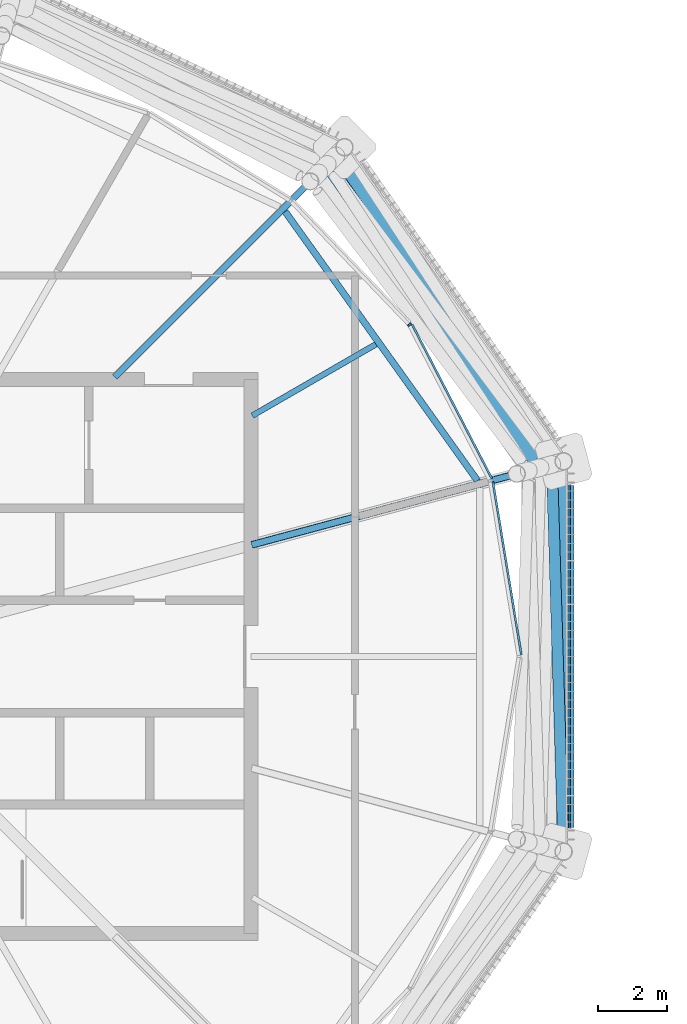
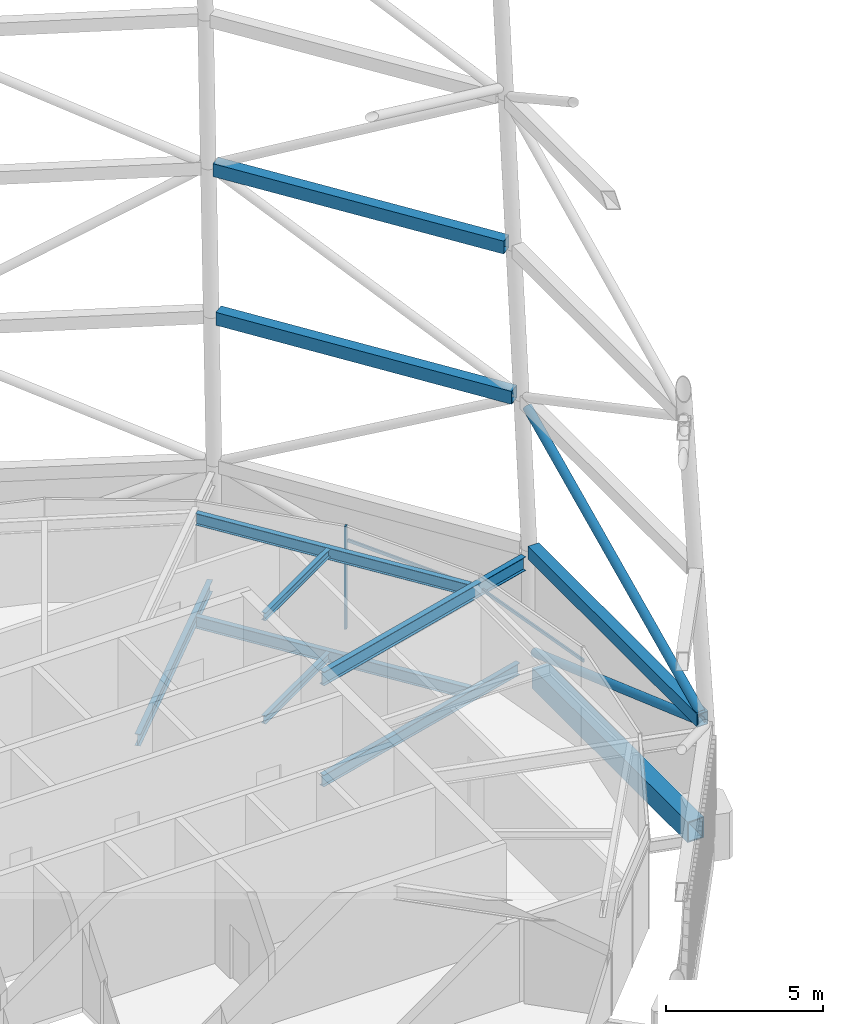
# One storey, part 24 of 71: 11 beams, 5 members, 1 element without a shape of its own.
"""IFC4 building model written with IfcOpenShell, lengths in metres."""

from ifc_helpers import new_model, si_unit, direction, frame, origin, origin_2d, place, context, subcontext, project, spatial, rectangle, hollow_rectangle, hollow_circle, i_section, extrude, material, material_profile, profile_set, type_object, element, aggregate, save


model = new_model("IFC4")

# Units and contexts
model_context = context("Model", 3, precision=1e-05, world=origin(), true_north=direction((0.0, 1.0)))
body_context = subcontext(model_context, "Body", "Model", "MODEL_VIEW")
ifc_project = project(units=[si_unit("LENGTHUNIT", "METRE"), si_unit("AREAUNIT", "SQUARE_METRE"), si_unit("VOLUMEUNIT", "CUBIC_METRE"), si_unit("PLANEANGLEUNIT", "RADIAN"), si_unit("MASSUNIT", "GRAM", prefix="KILO")], contexts=[model_context])

# Site, building, storey
site_placement = place(None, origin())
site = spatial("IfcSite", under=ifc_project, at=site_placement, CompositionType="ELEMENT")
building_placement = place(site_placement, origin())
building = spatial("IfcBuilding", under=site, at=building_placement, Name="Rimbun Link Towers", CompositionType="ELEMENT")
storey_placement = place(building_placement, frame((0.0, 0.0, 267.60009765625)))
storey = spatial("IfcBuildingStorey", under=building, at=storey_placement, Name="L65", CompositionType="ELEMENT", Elevation=267.60009765625)

# Curtain wall, members
ifc_material_1 = material(Name="Aluminium 6063-T6 louvre wall", Category="aluminium")
curtain_wall_type = type_object("IfcCurtainWallType", Name="CW6 plant floor louvre wall", PredefinedType="NOTDEFINED", material=ifc_material_1)
curtain_wall_placement = place(storey_placement, origin())
curtain_wall = element("IfcCurtainWall", 1, at=curtain_wall_placement, inside=storey, type_object=curtain_wall_type, Name="CW6 L65 T1", PredefinedType="NOTDEFINED")
ifc_material_2 = material(Name="Aluminium 6063-T6", Category="aluminium")
ifc_material_profile_1 = material_profile(ifc_material_2, rectangle(XDim=0.1201171875, YDim=0.06005859375, at=origin_2d()), Name="MULLION 60X120")
ifc_profile_set_1 = profile_set([ifc_material_profile_1], Name="Aluminium 6063-T6")
member_type_1 = type_object("IfcMemberType", Name="CW6 mullion 60X120", PredefinedType="MULLION", material=ifc_profile_set_1)
member_1_placement = place(storey_placement, frame((-15.171630859375, 9.578369140625, 0.0), z_axis=(0.0, 0.0, 1.0), x_axis=(0.813347238366, 0.581778540204, 0.0)))
member_1 = element("IfcMember", 2, at=member_1_placement, type_object=member_type_1, Name="CW6 mullion", PredefinedType="MULLION", context=body_context, shape_type="SweptSolid", body=[
    extrude(rectangle(XDim=0.1201171875, YDim=0.06005859375, at=origin_2d()), origin(), (0.0, 0.0, 1.0), 4.0),
])
ifc_material_3 = material(Name="Aluminium 6063-T6", Category="aluminium")
ifc_material_profile_2 = material_profile(ifc_material_3, rectangle(XDim=0.06005859375, YDim=0.1201171875, at=origin_2d()), Name="TRANSOM 60X120")
ifc_profile_set_2 = profile_set([ifc_material_profile_2], Name="Aluminium 6063-T6")
member_type_2 = type_object("IfcMemberType", Name="CW6 transom 60X120", PredefinedType="USERDEFINED", material=ifc_profile_set_2)
member_2_placement = place(storey_placement, frame((-12.76318359375, 5.043212890625, 3.39990234375), z_axis=(0.16227804182, -0.986745072014, 0.0), x_axis=(0.986745072014, 0.16227804182, 0.0)))
member_2 = element("IfcMember", 3, at=member_2_placement, type_object=member_type_2, Name="CW6 transom", ObjectType="TRANSOM", PredefinedType="USERDEFINED", context=body_context, shape_type="SweptSolid", body=[
    extrude(rectangle(XDim=0.06005859375, YDim=0.1201171875, at=origin_2d()), origin(), (0.0, 0.0, 1.0), 5.0595703125),
])
member_3_placement = place(storey_placement, frame((-15.091064453125, 9.576416015625, 3.39990234375), z_axis=(0.459541205413, -0.888156450479, 0.0), x_axis=(0.888156450479, 0.459541205413, 0.0)))
member_3 = element("IfcMember", 4, at=member_3_placement, type_object=member_type_2, Name="CW6 transom", ObjectType="TRANSOM", PredefinedType="USERDEFINED", context=body_context, shape_type="SweptSolid", body=[
    extrude(rectangle(XDim=0.06005859375, YDim=0.1201171875, at=origin_2d()), origin(), (0.0, 0.0, 1.0), 4.9970703125),
])
aggregate(curtain_wall, [member_1, member_2, member_3])

# Members
ifc_material_4 = material(Name="Steel S355J2H", Category="steel")
ifc_material_profile_3 = material_profile(ifc_material_4, hollow_circle(Radius=0.161865234375, WallThickness=0.011962890625, at=origin_2d()), Name="Crown frame brace CHS 324x12")
ifc_profile_set_3 = profile_set([ifc_material_profile_3], Name="Steel S355J2H")
member_type_3 = type_object("IfcMemberType", Name="Crown frame brace CHS 324x12", PredefinedType="BRACE", material=ifc_profile_set_3)
member_4_placement = place(storey_placement, frame((-10.722900390625, 5.257080078125, 0.1337890625), z_axis=(0.0, -0.9423827994, 0.334536484401), x_axis=(1.0, 0.0, 0.0)))
element("IfcMember", 5, at=member_4_placement, inside=storey, type_object=member_type_3, Name="CROWN FRAME brace T1 1-11", PredefinedType="BRACE", context=body_context, shape_type="SweptSolid", body=[
    extrude(hollow_circle(Radius=0.161865234375, WallThickness=0.011962890625, at=origin_2d()), origin(), (0.0, 0.0, 1.0), 11.156982421875),
])
member_5_placement = place(storey_placement, frame((-10.733642578125, -5.281982421875, 4.18896484375), z_axis=(-0.026629304714, 0.880779138727, 0.472777948844), x_axis=(-0.99954327161, -0.030219996347, 0.0)))
element("IfcMember", 6, at=member_5_placement, inside=storey, type_object=member_type_3, Name="CROWN FRAME brace T1 2-11", PredefinedType="BRACE", context=body_context, shape_type="SweptSolid", body=[
    extrude(hollow_circle(Radius=0.161865234375, WallThickness=0.011962890625, at=origin_2d()), origin(), (0.0, 0.0, 1.0), 11.89111328125),
])

# Beams
ifc_material_5 = material(Name="Steel S355J2", Category="steel")
ifc_material_profile_4 = material_profile(ifc_material_5, hollow_rectangle(XDim=0.39990234375, YDim=0.5, WallThickness=0.02001953125, at=origin_2d()), Name="Crown frame ring beam BOX 400x500x20")
ifc_profile_set_4 = profile_set([ifc_material_profile_4], Name="Steel S355J2")
beam_type_1 = type_object("IfcBeamType", Name="Crown frame ring beam BOX 400x500x20", PredefinedType="BEAM", material=ifc_profile_set_4)
beam_1_placement = place(storey_placement, frame((-10.722900390625, -5.380126953125, 4.0), z_axis=(0.0, 1.0, 0.0), x_axis=(-1.0, 0.0, 0.0)))
element("IfcBeam", 7, at=beam_1_placement, inside=storey, type_object=beam_type_1, Name="CROWN FRAME ring beam T1 1-11", PredefinedType="BEAM", context=body_context, shape_type="SweptSolid", body=[
    extrude(hollow_rectangle(XDim=0.39990234375, YDim=0.5, WallThickness=0.02001953125, at=origin_2d()), origin(), (0.0, 0.0, 1.0), 10.76025390625),
])
beam_2_placement = place(storey_placement, frame((-11.206787109375, 5.751708984375, 10.0), z_axis=(-0.573356446444, 0.819306038865, 0.0), x_axis=(-0.819306038865, -0.573356446444, 0.0)))
element("IfcBeam", 8, at=beam_2_placement, inside=storey, type_object=beam_type_1, Name="CROWN FRAME ring beam T1 2-00", PredefinedType="BEAM", context=body_context, shape_type="SweptSolid", body=[
    extrude(hollow_rectangle(XDim=0.39990234375, YDim=0.5, WallThickness=0.02001953125, at=origin_2d()), origin(), (0.0, 0.0, 1.0), 10.3671875),
])
beam_3_placement = place(storey_placement, frame((-11.544921875, 5.660888671875, 16.0), z_axis=(-0.574571673852, 0.81845426971, 0.0), x_axis=(-0.81845426971, -0.574571673852, 0.0)))
element("IfcBeam", 9, at=beam_3_placement, inside=storey, type_object=beam_type_1, Name="CROWN FRAME ring beam T1 3-00", PredefinedType="BEAM", context=body_context, shape_type="SweptSolid", body=[
    extrude(hollow_rectangle(XDim=0.39990234375, YDim=0.5, WallThickness=0.02001953125, at=origin_2d()), origin(), (0.0, 0.0, 1.0), 10.186767578125),
])
ifc_material_6 = material(Name="Steel S355J2", Category="steel")
ifc_material_profile_5 = material_profile(ifc_material_6, hollow_rectangle(XDim=0.60009765625, YDim=0.800048828125, WallThickness=0.0400390625, at=origin_2d()), Name="Exoskeleton ring girder BOX 600x800x40")
ifc_profile_set_5 = profile_set([ifc_material_profile_5], Name="Steel S355J2")
beam_type_2 = type_object("IfcBeamType", Name="Exoskeleton ring girder BOX 600x800x40", PredefinedType="BEAM", material=ifc_profile_set_5)
beam_4_placement = place(storey_placement, frame((-10.722900390625, -4.93408203125, -0.56005859375), z_axis=(0.0, 1.0, 0.0), x_axis=(-1.0, 0.0, 0.0)))
element("IfcBeam", 10, at=beam_4_placement, inside=storey, type_object=beam_type_2, Name="Exoskeleton ring girder L65 11", PredefinedType="BEAM", context=body_context, shape_type="SweptSolid", body=[
    extrude(hollow_rectangle(XDim=0.60009765625, YDim=0.800048828125, WallThickness=0.0400390625, at=origin_2d()), origin(), (0.0, 0.0, 1.0), 9.8681640625),
])
ifc_material_7 = material(Name="Steel S355J2", Category="steel")
ifc_material_profile_6 = material_profile(ifc_material_7, i_section(OverallWidth=0.1650390625, OverallDepth=0.303466796875, WebThickness=0.006103515625, FlangeThickness=0.01025390625, at=origin_2d()), Name="UB 305x165x40")
ifc_profile_set_6 = profile_set([ifc_material_profile_6], Name="Steel S355J2")
beam_type_3 = type_object("IfcBeamType", Name="UB 305x165x40", PredefinedType="BEAM", material=ifc_profile_set_6)
for number, where, z_axis, x_axis, name in (
    (11, (-19.7080078125, 6.952392578125, -0.351806640625), (0.866009926209, 0.50002680699, 0.0), (-0.50002680699, 0.866009926209, 0.0), "Radial beam T1 L65 02"),
    (12, (-19.7080078125, 6.952392578125, 3.648193359375), (0.866009926209, 0.50002680699, 0.0), (-0.50002680699, 0.866009926209, 0.0), "Radial beam T1 L65 02"),
):
    element("IfcBeam", number, at=place(storey_placement, frame(where, z_axis=z_axis, x_axis=x_axis)), inside=storey, type_object=beam_type_3, Name=name, PredefinedType="BEAM", context=body_context, shape_type="SweptSolid", body=[
        extrude(i_section(OverallWidth=0.1650390625, OverallDepth=0.303466796875, WebThickness=0.006103515625, FlangeThickness=0.01025390625, at=origin_2d()), origin(), (0.0, 0.0, 1.0), 4.119873046875),
    ])
ifc_material_8 = material(Name="Steel S355J2", Category="steel")
ifc_material_profile_7 = material_profile(ifc_material_8, i_section(OverallWidth=0.18994140625, OverallDepth=0.453369140625, WebThickness=0.008544921875, FlangeThickness=0.0126953125, at=origin_2d()), Name="UB 457x191x67")
ifc_profile_set_7 = profile_set([ifc_material_profile_7], Name="Steel S355J2")
beam_type_4 = type_object("IfcBeamType", Name="UB 457x191x67", PredefinedType="BEAM", material=ifc_profile_set_7)
beam_5_placement = place(storey_placement, frame((-19.724609375, 3.222412109375, -0.4267578125), z_axis=(0.965927786398, 0.258811729767, 0.0), x_axis=(-0.258811729767, 0.965927786398, 0.0)))
element("IfcBeam", 13, at=beam_5_placement, inside=storey, type_object=beam_type_4, Name="Radial beam T1 L65 01", PredefinedType="BEAM", context=body_context, shape_type="SweptSolid", body=[
    extrude(i_section(OverallWidth=0.18994140625, OverallDepth=0.453369140625, WebThickness=0.008544921875, FlangeThickness=0.0126953125, at=origin_2d()), origin(), (0.0, 0.0, 1.0), 8.819091796875),
])
beam_6_placement = place(storey_placement, frame((-23.68212890625, 8.06787109375, -0.4267578125), z_axis=(0.707106781187, 0.707106781187, 0.0), x_axis=(-0.707106781187, 0.707106781187, 0.0)))
element("IfcBeam", 14, at=beam_6_placement, inside=storey, type_object=beam_type_4, Name="Radial beam T1 L65 03", PredefinedType="BEAM", context=body_context, shape_type="SweptSolid", body=[
    extrude(i_section(OverallWidth=0.18994140625, OverallDepth=0.453369140625, WebThickness=0.008544921875, FlangeThickness=0.0126953125, at=origin_2d()), origin(), (0.0, 0.0, 1.0), 8.880615234375),
])
beam_7_placement = place(storey_placement, frame((-13.203125, 5.06884765625, -0.4267578125), z_axis=(-0.58156172286, 0.813502281806, 0.0), x_axis=(-0.813502281806, -0.58156172286, 0.0)))
element("IfcBeam", 15, at=beam_7_placement, inside=storey, type_object=beam_type_4, Name="Edge beam T1 L65 01-03", PredefinedType="BEAM", context=body_context, shape_type="SweptSolid", body=[
    extrude(i_section(OverallWidth=0.18994140625, OverallDepth=0.453369140625, WebThickness=0.008544921875, FlangeThickness=0.0126953125, at=origin_2d()), origin(), (0.0, 0.0, 1.0), 9.56396484375),
])
beam_8_placement = place(storey_placement, frame((-13.208984375, 5.077392578125, 3.5732421875), z_axis=(-0.581576914607, 0.813491421219, 0.0), x_axis=(-0.813491421219, -0.581576914607, 0.0)))
element("IfcBeam", 16, at=beam_8_placement, inside=storey, type_object=beam_type_4, Name="Edge beam T1 L65 01-03", PredefinedType="BEAM", context=body_context, shape_type="SweptSolid", body=[
    extrude(i_section(OverallWidth=0.18994140625, OverallDepth=0.453369140625, WebThickness=0.008544921875, FlangeThickness=0.0126953125, at=origin_2d()), origin(), (0.0, 0.0, 1.0), 9.5439453125),
])
ifc_material_9 = material(Name="Steel S355J2", Category="steel")
ifc_material_profile_8 = material_profile(ifc_material_9, i_section(OverallWidth=0.209228515625, OverallDepth=0.533203125, WebThickness=0.010009765625, FlangeThickness=0.015625, at=origin_2d()), Name="UB 533x210x92")
ifc_profile_set_8 = profile_set([ifc_material_profile_8], Name="Steel S355J2")
beam_type_5 = type_object("IfcBeamType", Name="UB 533x210x92", PredefinedType="BEAM", material=ifc_profile_set_8)
beam_9_placement = place(storey_placement, frame((-19.721923828125, 3.222900390625, 3.533447265625), z_axis=(0.965925068191, 0.258821874346, 0.0), x_axis=(-0.258821874346, 0.965925068191, 0.0)))
element("IfcBeam", 17, at=beam_9_placement, inside=storey, type_object=beam_type_5, Name="Radial beam T1 L65 01", PredefinedType="BEAM", context=body_context, shape_type="SweptSolid", body=[
    extrude(i_section(OverallWidth=0.209228515625, OverallDepth=0.533203125, WebThickness=0.010009765625, FlangeThickness=0.015625, at=origin_2d()), origin(), (0.0, 0.0, 1.0), 9.056396484375),
])

save(model, "model.ifc")
